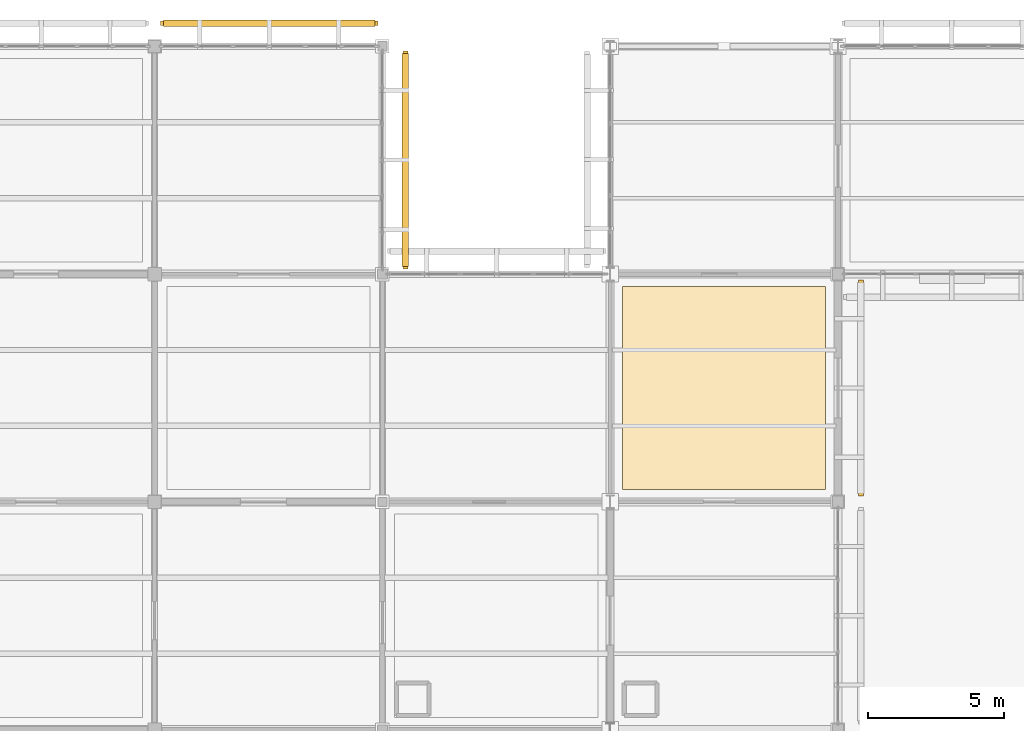
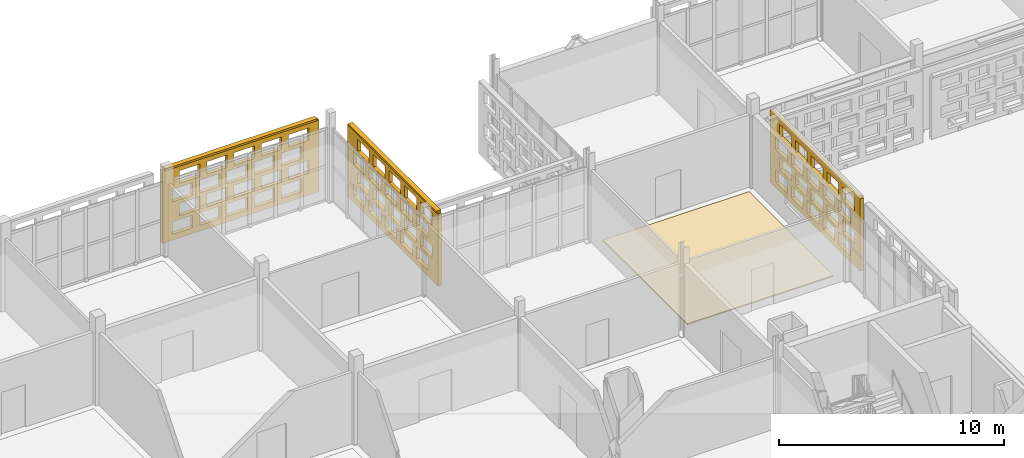
# One storey, part 167 of 203: 4 coverings, 2 shading devices, 60 openings.
"""IFC4 building model written with IfcOpenShell, lengths in metres."""

from ifc_helpers import new_model, si_unit, direction, frame, frame_2d, origin, origin_2d, place, context, subcontext, project, spatial, rectangle, extrude, material, layer, layer_set, type_object, element, save


model = new_model("IFC4")

# Units and contexts
model_context = context("Model", 3, precision=1e-05, world=origin(), true_north=direction((0.0, 1.0)))
body_context = subcontext(model_context, "Body", "Model", "MODEL_VIEW")
ifc_project = project(units=[si_unit("LENGTHUNIT", "METRE"), si_unit("AREAUNIT", "SQUARE_METRE"), si_unit("VOLUMEUNIT", "CUBIC_METRE"), si_unit("PLANEANGLEUNIT", "RADIAN"), si_unit("MASSUNIT", "GRAM", prefix="KILO")], contexts=[model_context])

# Site, building, storey
site_placement = place(None, origin())
site = spatial("IfcSite", under=ifc_project, at=site_placement, CompositionType="ELEMENT")
building_placement = place(site_placement, origin())
building = spatial("IfcBuilding", under=site, at=building_placement, Name="Varnapada Polytechnic", CompositionType="ELEMENT")
storey_placement = place(building_placement, frame((0.0, 0.0, 4.800048828125)))
storey = spatial("IfcBuildingStorey", under=building, at=storey_placement, Name="L01", CompositionType="ELEMENT", Elevation=4.800048828125)

# Covering
ifc_material_1 = material(Name="Anti-Static Raised Laboratory Flooring")
ifc_layer_1 = layer(ifc_material_1, 0.06005859375)
ifc_layer_set_1 = layer_set([ifc_layer_1], Name="Anti-Static Raised Laboratory Flooring")
covering_type_1 = type_object("IfcCoveringType", Name="Floor Finish FLR-02", PredefinedType="FLOORING", material=ifc_layer_set_1)
covering_1_placement = place(storey_placement, frame((54.60009765625, 113.39990234375, 0.0), z_axis=(0.0, 0.0, 1.0), x_axis=(1.0, 0.0, 0.0)))
element("IfcCovering", 1, at=covering_1_placement, inside=storey, type_object=covering_type_1, Name="L01 floor finish panel (7,14)", PredefinedType="FLOORING", context=body_context, shape_type="SweptSolid", body=[
    extrude(rectangle(XDim=7.5, YDim=7.5, at=origin_2d()), origin(), (0.0, 0.0, 1.0), 0.06005859375),
])

# Covering, openings
ifc_material_2 = material(Name="Earth-toned architectural terracotta screen block", Category="masonry")
ifc_layer_2 = layer(ifc_material_2, 0.1201171875)
ifc_layer_set_2 = layer_set([ifc_layer_2], Name="Earth-toned architectural terracotta screen block")
covering_type_2 = type_object("IfcCoveringType", Name="Terracotta Screen Cladding CLD-01", PredefinedType="CLADDING", material=ifc_layer_set_2)
covering_2_placement = place(storey_placement, frame((33.820068359375, 126.85009765625, 0.0), z_axis=(0.0, 0.0, 1.0), x_axis=(1.0, 0.0, 0.0)))
covering_2 = element("IfcCovering", 2, at=covering_2_placement, inside=storey, type_object=covering_type_2, Name="L01 perforated terracotta block screen (35)", PredefinedType="CLADDING", context=body_context, shape_type="SweptSolid", body=[
    extrude(rectangle(XDim=8.010009765625, YDim=0.179931640625, at=frame_2d((4.0048828125, 0.0))), origin(), (0.0, 0.0, 1.0), 3.919921875),
])
opening_1_placement = place(covering_2_placement, frame((0.5048828125, 0.0, 0.313720703125)))
element("IfcOpeningElement", 3, at=opening_1_placement, cuts=covering_2, Name="Screen perforation TBS-L01-034.1", PredefinedType="OPENING", context=body_context, shape_type="SweptSolid", body=[
    extrude(rectangle(XDim=1.0400390625, YDim=0.679931640625, at=frame_2d((0.52001953125, 0.33984375))), frame((0.0, 0.099853515625, 0.0), z_axis=(0.0, -1.0, 0.0), x_axis=(1.0, 0.0, 0.0)), (0.0, 0.0, 1.0), 0.199951171875),
])
opening_2_placement = place(covering_2_placement, frame((1.905029296875, 0.0, 0.313720703125)))
element("IfcOpeningElement", 4, at=opening_2_placement, cuts=covering_2, Name="Screen perforation TBS-L01-034.2", PredefinedType="OPENING", context=body_context, shape_type="SweptSolid", body=[
    extrude(rectangle(XDim=1.0400390625, YDim=0.679931640625, at=frame_2d((0.52001953125, 0.33984375))), frame((0.0, 0.099853515625, 0.0), z_axis=(0.0, -1.0, 0.0), x_axis=(1.0, 0.0, 0.0)), (0.0, 0.0, 1.0), 0.199951171875),
])
opening_3_placement = place(covering_2_placement, frame((3.304931640625, 0.0, 0.313720703125)))
element("IfcOpeningElement", 5, at=opening_3_placement, cuts=covering_2, Name="Screen perforation TBS-L01-034.3", PredefinedType="OPENING", context=body_context, shape_type="SweptSolid", body=[
    extrude(rectangle(XDim=1.0400390625, YDim=0.679931640625, at=frame_2d((0.52001953125, 0.33984375))), frame((0.0, 0.099853515625, 0.0), z_axis=(0.0, -1.0, 0.0), x_axis=(1.0, 0.0, 0.0)), (0.0, 0.0, 1.0), 0.199951171875),
])
opening_4_placement = place(covering_2_placement, frame((4.705078125, 0.0, 0.313720703125)))
element("IfcOpeningElement", 6, at=opening_4_placement, cuts=covering_2, Name="Screen perforation TBS-L01-034.4", PredefinedType="OPENING", context=body_context, shape_type="SweptSolid", body=[
    extrude(rectangle(XDim=1.0400390625, YDim=0.679931640625, at=frame_2d((0.52001953125, 0.33984375))), frame((0.0, 0.099853515625, 0.0), z_axis=(0.0, -1.0, 0.0), x_axis=(1.0, 0.0, 0.0)), (0.0, 0.0, 1.0), 0.199951171875),
])
opening_5_placement = place(covering_2_placement, frame((6.10498046875, 0.0, 0.313720703125)))
element("IfcOpeningElement", 7, at=opening_5_placement, cuts=covering_2, Name="Screen perforation TBS-L01-034.5", PredefinedType="OPENING", context=body_context, shape_type="SweptSolid", body=[
    extrude(rectangle(XDim=1.0400390625, YDim=0.679931640625, at=frame_2d((0.52001953125, 0.33984375))), frame((0.0, 0.099853515625, 0.0), z_axis=(0.0, -1.0, 0.0), x_axis=(1.0, 0.0, 0.0)), (0.0, 0.0, 1.0), 0.199951171875),
])
opening_6_placement = place(covering_2_placement, frame((0.864990234375, 0.0, 1.195556640625)))
element("IfcOpeningElement", 8, at=opening_6_placement, cuts=covering_2, Name="Screen perforation TBS-L01-034.6", PredefinedType="OPENING", context=body_context, shape_type="SweptSolid", body=[
    extrude(rectangle(XDim=1.0400390625, YDim=0.679931640625, at=frame_2d((0.52001953125, 0.33984375))), frame((0.0, 0.099853515625, 0.0), z_axis=(0.0, -1.0, 0.0), x_axis=(1.0, 0.0, 0.0)), (0.0, 0.0, 1.0), 0.199951171875),
])
opening_7_placement = place(covering_2_placement, frame((2.264892578125, 0.0, 1.195556640625)))
element("IfcOpeningElement", 9, at=opening_7_placement, cuts=covering_2, Name="Screen perforation TBS-L01-034.7", PredefinedType="OPENING", context=body_context, shape_type="SweptSolid", body=[
    extrude(rectangle(XDim=1.0400390625, YDim=0.679931640625, at=frame_2d((0.52001953125, 0.33984375))), frame((0.0, 0.099853515625, 0.0), z_axis=(0.0, -1.0, 0.0), x_axis=(1.0, 0.0, 0.0)), (0.0, 0.0, 1.0), 0.199951171875),
])
opening_8_placement = place(covering_2_placement, frame((3.6650390625, 0.0, 1.195556640625)))
element("IfcOpeningElement", 10, at=opening_8_placement, cuts=covering_2, Name="Screen perforation TBS-L01-034.8", PredefinedType="OPENING", context=body_context, shape_type="SweptSolid", body=[
    extrude(rectangle(XDim=1.0400390625, YDim=0.679931640625, at=frame_2d((0.52001953125, 0.33984375))), frame((0.0, 0.099853515625, 0.0), z_axis=(0.0, -1.0, 0.0), x_axis=(1.0, 0.0, 0.0)), (0.0, 0.0, 1.0), 0.199951171875),
])
opening_9_placement = place(covering_2_placement, frame((5.06494140625, 0.0, 1.195556640625)))
element("IfcOpeningElement", 11, at=opening_9_placement, cuts=covering_2, Name="Screen perforation TBS-L01-034.9", PredefinedType="OPENING", context=body_context, shape_type="SweptSolid", body=[
    extrude(rectangle(XDim=1.0400390625, YDim=0.679931640625, at=frame_2d((0.52001953125, 0.33984375))), frame((0.0, 0.099853515625, 0.0), z_axis=(0.0, -1.0, 0.0), x_axis=(1.0, 0.0, 0.0)), (0.0, 0.0, 1.0), 0.199951171875),
])
opening_10_placement = place(covering_2_placement, frame((6.465087890625, 0.0, 1.195556640625)))
element("IfcOpeningElement", 12, at=opening_10_placement, cuts=covering_2, Name="Screen perforation TBS-L01-034.10", PredefinedType="OPENING", context=body_context, shape_type="SweptSolid", body=[
    extrude(rectangle(XDim=1.0400390625, YDim=0.679931640625, at=frame_2d((0.52001953125, 0.33984375))), frame((0.0, 0.099853515625, 0.0), z_axis=(0.0, -1.0, 0.0), x_axis=(1.0, 0.0, 0.0)), (0.0, 0.0, 1.0), 0.199951171875),
])
opening_11_placement = place(covering_2_placement, frame((0.5048828125, 0.0, 2.07763671875)))
element("IfcOpeningElement", 13, at=opening_11_placement, cuts=covering_2, Name="Screen perforation TBS-L01-034.11", PredefinedType="OPENING", context=body_context, shape_type="SweptSolid", body=[
    extrude(rectangle(XDim=1.0400390625, YDim=0.679931640625, at=frame_2d((0.52001953125, 0.33984375))), frame((0.0, 0.099853515625, 0.0), z_axis=(0.0, -1.0, 0.0), x_axis=(1.0, 0.0, 0.0)), (0.0, 0.0, 1.0), 0.199951171875),
])
opening_12_placement = place(covering_2_placement, frame((1.905029296875, 0.0, 2.07763671875)))
element("IfcOpeningElement", 14, at=opening_12_placement, cuts=covering_2, Name="Screen perforation TBS-L01-034.12", PredefinedType="OPENING", context=body_context, shape_type="SweptSolid", body=[
    extrude(rectangle(XDim=1.0400390625, YDim=0.679931640625, at=frame_2d((0.52001953125, 0.33984375))), frame((0.0, 0.099853515625, 0.0), z_axis=(0.0, -1.0, 0.0), x_axis=(1.0, 0.0, 0.0)), (0.0, 0.0, 1.0), 0.199951171875),
])
opening_13_placement = place(covering_2_placement, frame((3.304931640625, 0.0, 2.07763671875)))
element("IfcOpeningElement", 15, at=opening_13_placement, cuts=covering_2, Name="Screen perforation TBS-L01-034.13", PredefinedType="OPENING", context=body_context, shape_type="SweptSolid", body=[
    extrude(rectangle(XDim=1.0400390625, YDim=0.679931640625, at=frame_2d((0.52001953125, 0.33984375))), frame((0.0, 0.099853515625, 0.0), z_axis=(0.0, -1.0, 0.0), x_axis=(1.0, 0.0, 0.0)), (0.0, 0.0, 1.0), 0.199951171875),
])
opening_14_placement = place(covering_2_placement, frame((4.705078125, 0.0, 2.07763671875)))
element("IfcOpeningElement", 16, at=opening_14_placement, cuts=covering_2, Name="Screen perforation TBS-L01-034.14", PredefinedType="OPENING", context=body_context, shape_type="SweptSolid", body=[
    extrude(rectangle(XDim=1.0400390625, YDim=0.679931640625, at=frame_2d((0.52001953125, 0.33984375))), frame((0.0, 0.099853515625, 0.0), z_axis=(0.0, -1.0, 0.0), x_axis=(1.0, 0.0, 0.0)), (0.0, 0.0, 1.0), 0.199951171875),
])
opening_15_placement = place(covering_2_placement, frame((6.10498046875, 0.0, 2.07763671875)))
element("IfcOpeningElement", 17, at=opening_15_placement, cuts=covering_2, Name="Screen perforation TBS-L01-034.15", PredefinedType="OPENING", context=body_context, shape_type="SweptSolid", body=[
    extrude(rectangle(XDim=1.0400390625, YDim=0.679931640625, at=frame_2d((0.52001953125, 0.33984375))), frame((0.0, 0.099853515625, 0.0), z_axis=(0.0, -1.0, 0.0), x_axis=(1.0, 0.0, 0.0)), (0.0, 0.0, 1.0), 0.199951171875),
])
opening_16_placement = place(covering_2_placement, frame((0.864990234375, 0.0, 2.959716796875)))
element("IfcOpeningElement", 18, at=opening_16_placement, cuts=covering_2, Name="Screen perforation TBS-L01-034.16", PredefinedType="OPENING", context=body_context, shape_type="SweptSolid", body=[
    extrude(rectangle(XDim=1.0400390625, YDim=0.679931640625, at=frame_2d((0.52001953125, 0.33984375))), frame((0.0, 0.099853515625, 0.0), z_axis=(0.0, -1.0, 0.0), x_axis=(1.0, 0.0, 0.0)), (0.0, 0.0, 1.0), 0.199951171875),
])
opening_17_placement = place(covering_2_placement, frame((2.264892578125, 0.0, 2.959716796875)))
element("IfcOpeningElement", 19, at=opening_17_placement, cuts=covering_2, Name="Screen perforation TBS-L01-034.17", PredefinedType="OPENING", context=body_context, shape_type="SweptSolid", body=[
    extrude(rectangle(XDim=1.0400390625, YDim=0.679931640625, at=frame_2d((0.52001953125, 0.33984375))), frame((0.0, 0.099853515625, 0.0), z_axis=(0.0, -1.0, 0.0), x_axis=(1.0, 0.0, 0.0)), (0.0, 0.0, 1.0), 0.199951171875),
])
opening_18_placement = place(covering_2_placement, frame((3.6650390625, 0.0, 2.959716796875)))
element("IfcOpeningElement", 20, at=opening_18_placement, cuts=covering_2, Name="Screen perforation TBS-L01-034.18", PredefinedType="OPENING", context=body_context, shape_type="SweptSolid", body=[
    extrude(rectangle(XDim=1.0400390625, YDim=0.679931640625, at=frame_2d((0.52001953125, 0.33984375))), frame((0.0, 0.099853515625, 0.0), z_axis=(0.0, -1.0, 0.0), x_axis=(1.0, 0.0, 0.0)), (0.0, 0.0, 1.0), 0.199951171875),
])
opening_19_placement = place(covering_2_placement, frame((5.06494140625, 0.0, 2.959716796875)))
element("IfcOpeningElement", 21, at=opening_19_placement, cuts=covering_2, Name="Screen perforation TBS-L01-034.19", PredefinedType="OPENING", context=body_context, shape_type="SweptSolid", body=[
    extrude(rectangle(XDim=1.0400390625, YDim=0.679931640625, at=frame_2d((0.52001953125, 0.33984375))), frame((0.0, 0.099853515625, 0.0), z_axis=(0.0, -1.0, 0.0), x_axis=(1.0, 0.0, 0.0)), (0.0, 0.0, 1.0), 0.199951171875),
])
opening_20_placement = place(covering_2_placement, frame((6.465087890625, 0.0, 2.959716796875)))
element("IfcOpeningElement", 22, at=opening_20_placement, cuts=covering_2, Name="Screen perforation TBS-L01-034.20", PredefinedType="OPENING", context=body_context, shape_type="SweptSolid", body=[
    extrude(rectangle(XDim=1.0400390625, YDim=0.679931640625, at=frame_2d((0.52001953125, 0.33984375))), frame((0.0, 0.099853515625, 0.0), z_axis=(0.0, -1.0, 0.0), x_axis=(1.0, 0.0, 0.0)), (0.0, 0.0, 1.0), 0.199951171875),
])

covering_3_placement = place(storey_placement, frame((42.85009765625, 125.830078125, 0.0), z_axis=(0.0, 0.0, 1.0), x_axis=(0.0, -1.0, 0.0)))
covering_3 = element("IfcCovering", 23, at=covering_3_placement, inside=storey, type_object=covering_type_2, Name="L01 perforated terracotta block screen (36)", PredefinedType="CLADDING", context=body_context, shape_type="SweptSolid", body=[
    extrude(rectangle(XDim=8.050048828125, YDim=0.179931640625, at=frame_2d((4.02490234375, 0.0))), origin(), (0.0, 0.0, 1.0), 3.919921875),
])
opening_21_placement = place(covering_3_placement, frame((0.52490234375, 0.0, 0.313720703125)))
element("IfcOpeningElement", 24, at=opening_21_placement, cuts=covering_3, Name="Screen perforation TBS-L01-035.1", PredefinedType="OPENING", context=body_context, shape_type="SweptSolid", body=[
    extrude(rectangle(XDim=1.0400390625, YDim=0.679931640625, at=frame_2d((0.52001953125, 0.33984375))), frame((0.0, 0.099853515625, 0.0), z_axis=(0.0, -1.0, 0.0), x_axis=(1.0, 0.0, 0.0)), (0.0, 0.0, 1.0), 0.199951171875),
])
opening_22_placement = place(covering_3_placement, frame((1.925048828125, 0.0, 0.313720703125)))
element("IfcOpeningElement", 25, at=opening_22_placement, cuts=covering_3, Name="Screen perforation TBS-L01-035.2", PredefinedType="OPENING", context=body_context, shape_type="SweptSolid", body=[
    extrude(rectangle(XDim=1.0400390625, YDim=0.679931640625, at=frame_2d((0.52001953125, 0.33984375))), frame((0.0, 0.099853515625, 0.0), z_axis=(0.0, -1.0, 0.0), x_axis=(1.0, 0.0, 0.0)), (0.0, 0.0, 1.0), 0.199951171875),
])
opening_23_placement = place(covering_3_placement, frame((3.324951171875, 0.0, 0.313720703125)))
element("IfcOpeningElement", 26, at=opening_23_placement, cuts=covering_3, Name="Screen perforation TBS-L01-035.3", PredefinedType="OPENING", context=body_context, shape_type="SweptSolid", body=[
    extrude(rectangle(XDim=1.0400390625, YDim=0.679931640625, at=frame_2d((0.52001953125, 0.33984375))), frame((0.0, 0.099853515625, 0.0), z_axis=(0.0, -1.0, 0.0), x_axis=(1.0, 0.0, 0.0)), (0.0, 0.0, 1.0), 0.199951171875),
])
opening_24_placement = place(covering_3_placement, frame((4.72509765625, 0.0, 0.313720703125)))
element("IfcOpeningElement", 27, at=opening_24_placement, cuts=covering_3, Name="Screen perforation TBS-L01-035.4", PredefinedType="OPENING", context=body_context, shape_type="SweptSolid", body=[
    extrude(rectangle(XDim=1.0400390625, YDim=0.679931640625, at=frame_2d((0.52001953125, 0.33984375))), frame((0.0, 0.099853515625, 0.0), z_axis=(0.0, -1.0, 0.0), x_axis=(1.0, 0.0, 0.0)), (0.0, 0.0, 1.0), 0.199951171875),
])
opening_25_placement = place(covering_3_placement, frame((6.125, 0.0, 0.313720703125)))
element("IfcOpeningElement", 28, at=opening_25_placement, cuts=covering_3, Name="Screen perforation TBS-L01-035.5", PredefinedType="OPENING", context=body_context, shape_type="SweptSolid", body=[
    extrude(rectangle(XDim=1.0400390625, YDim=0.679931640625, at=frame_2d((0.52001953125, 0.33984375))), frame((0.0, 0.099853515625, 0.0), z_axis=(0.0, -1.0, 0.0), x_axis=(1.0, 0.0, 0.0)), (0.0, 0.0, 1.0), 0.199951171875),
])
opening_26_placement = place(covering_3_placement, frame((0.885009765625, 0.0, 1.195556640625)))
element("IfcOpeningElement", 29, at=opening_26_placement, cuts=covering_3, Name="Screen perforation TBS-L01-035.6", PredefinedType="OPENING", context=body_context, shape_type="SweptSolid", body=[
    extrude(rectangle(XDim=1.0400390625, YDim=0.679931640625, at=frame_2d((0.52001953125, 0.33984375))), frame((0.0, 0.099853515625, 0.0), z_axis=(0.0, -1.0, 0.0), x_axis=(1.0, 0.0, 0.0)), (0.0, 0.0, 1.0), 0.199951171875),
])
opening_27_placement = place(covering_3_placement, frame((2.284912109375, 0.0, 1.195556640625)))
element("IfcOpeningElement", 30, at=opening_27_placement, cuts=covering_3, Name="Screen perforation TBS-L01-035.7", PredefinedType="OPENING", context=body_context, shape_type="SweptSolid", body=[
    extrude(rectangle(XDim=1.0400390625, YDim=0.679931640625, at=frame_2d((0.52001953125, 0.33984375))), frame((0.0, 0.099853515625, 0.0), z_axis=(0.0, -1.0, 0.0), x_axis=(1.0, 0.0, 0.0)), (0.0, 0.0, 1.0), 0.199951171875),
])
opening_28_placement = place(covering_3_placement, frame((3.68505859375, 0.0, 1.195556640625)))
element("IfcOpeningElement", 31, at=opening_28_placement, cuts=covering_3, Name="Screen perforation TBS-L01-035.8", PredefinedType="OPENING", context=body_context, shape_type="SweptSolid", body=[
    extrude(rectangle(XDim=1.0400390625, YDim=0.679931640625, at=frame_2d((0.52001953125, 0.33984375))), frame((0.0, 0.099853515625, 0.0), z_axis=(0.0, -1.0, 0.0), x_axis=(1.0, 0.0, 0.0)), (0.0, 0.0, 1.0), 0.199951171875),
])
opening_29_placement = place(covering_3_placement, frame((5.0849609375, 0.0, 1.195556640625)))
element("IfcOpeningElement", 32, at=opening_29_placement, cuts=covering_3, Name="Screen perforation TBS-L01-035.9", PredefinedType="OPENING", context=body_context, shape_type="SweptSolid", body=[
    extrude(rectangle(XDim=1.0400390625, YDim=0.679931640625, at=frame_2d((0.52001953125, 0.33984375))), frame((0.0, 0.099853515625, 0.0), z_axis=(0.0, -1.0, 0.0), x_axis=(1.0, 0.0, 0.0)), (0.0, 0.0, 1.0), 0.199951171875),
])
opening_30_placement = place(covering_3_placement, frame((6.485107421875, 0.0, 1.195556640625)))
element("IfcOpeningElement", 33, at=opening_30_placement, cuts=covering_3, Name="Screen perforation TBS-L01-035.10", PredefinedType="OPENING", context=body_context, shape_type="SweptSolid", body=[
    extrude(rectangle(XDim=1.0400390625, YDim=0.679931640625, at=frame_2d((0.52001953125, 0.33984375))), frame((0.0, 0.099853515625, 0.0), z_axis=(0.0, -1.0, 0.0), x_axis=(1.0, 0.0, 0.0)), (0.0, 0.0, 1.0), 0.199951171875),
])
opening_31_placement = place(covering_3_placement, frame((0.52490234375, 0.0, 2.07763671875)))
element("IfcOpeningElement", 34, at=opening_31_placement, cuts=covering_3, Name="Screen perforation TBS-L01-035.11", PredefinedType="OPENING", context=body_context, shape_type="SweptSolid", body=[
    extrude(rectangle(XDim=1.0400390625, YDim=0.679931640625, at=frame_2d((0.52001953125, 0.33984375))), frame((0.0, 0.099853515625, 0.0), z_axis=(0.0, -1.0, 0.0), x_axis=(1.0, 0.0, 0.0)), (0.0, 0.0, 1.0), 0.199951171875),
])
opening_32_placement = place(covering_3_placement, frame((1.925048828125, 0.0, 2.07763671875)))
element("IfcOpeningElement", 35, at=opening_32_placement, cuts=covering_3, Name="Screen perforation TBS-L01-035.12", PredefinedType="OPENING", context=body_context, shape_type="SweptSolid", body=[
    extrude(rectangle(XDim=1.0400390625, YDim=0.679931640625, at=frame_2d((0.52001953125, 0.33984375))), frame((0.0, 0.099853515625, 0.0), z_axis=(0.0, -1.0, 0.0), x_axis=(1.0, 0.0, 0.0)), (0.0, 0.0, 1.0), 0.199951171875),
])
opening_33_placement = place(covering_3_placement, frame((3.324951171875, 0.0, 2.07763671875)))
element("IfcOpeningElement", 36, at=opening_33_placement, cuts=covering_3, Name="Screen perforation TBS-L01-035.13", PredefinedType="OPENING", context=body_context, shape_type="SweptSolid", body=[
    extrude(rectangle(XDim=1.0400390625, YDim=0.679931640625, at=frame_2d((0.52001953125, 0.33984375))), frame((0.0, 0.099853515625, 0.0), z_axis=(0.0, -1.0, 0.0), x_axis=(1.0, 0.0, 0.0)), (0.0, 0.0, 1.0), 0.199951171875),
])
opening_34_placement = place(covering_3_placement, frame((4.72509765625, 0.0, 2.07763671875)))
element("IfcOpeningElement", 37, at=opening_34_placement, cuts=covering_3, Name="Screen perforation TBS-L01-035.14", PredefinedType="OPENING", context=body_context, shape_type="SweptSolid", body=[
    extrude(rectangle(XDim=1.0400390625, YDim=0.679931640625, at=frame_2d((0.52001953125, 0.33984375))), frame((0.0, 0.099853515625, 0.0), z_axis=(0.0, -1.0, 0.0), x_axis=(1.0, 0.0, 0.0)), (0.0, 0.0, 1.0), 0.199951171875),
])
opening_35_placement = place(covering_3_placement, frame((6.125, 0.0, 2.07763671875)))
element("IfcOpeningElement", 38, at=opening_35_placement, cuts=covering_3, Name="Screen perforation TBS-L01-035.15", PredefinedType="OPENING", context=body_context, shape_type="SweptSolid", body=[
    extrude(rectangle(XDim=1.0400390625, YDim=0.679931640625, at=frame_2d((0.52001953125, 0.33984375))), frame((0.0, 0.099853515625, 0.0), z_axis=(0.0, -1.0, 0.0), x_axis=(1.0, 0.0, 0.0)), (0.0, 0.0, 1.0), 0.199951171875),
])
opening_36_placement = place(covering_3_placement, frame((0.885009765625, 0.0, 2.959716796875)))
element("IfcOpeningElement", 39, at=opening_36_placement, cuts=covering_3, Name="Screen perforation TBS-L01-035.16", PredefinedType="OPENING", context=body_context, shape_type="SweptSolid", body=[
    extrude(rectangle(XDim=1.0400390625, YDim=0.679931640625, at=frame_2d((0.52001953125, 0.33984375))), frame((0.0, 0.099853515625, 0.0), z_axis=(0.0, -1.0, 0.0), x_axis=(1.0, 0.0, 0.0)), (0.0, 0.0, 1.0), 0.199951171875),
])
opening_37_placement = place(covering_3_placement, frame((2.284912109375, 0.0, 2.959716796875)))
element("IfcOpeningElement", 40, at=opening_37_placement, cuts=covering_3, Name="Screen perforation TBS-L01-035.17", PredefinedType="OPENING", context=body_context, shape_type="SweptSolid", body=[
    extrude(rectangle(XDim=1.0400390625, YDim=0.679931640625, at=frame_2d((0.52001953125, 0.33984375))), frame((0.0, 0.099853515625, 0.0), z_axis=(0.0, -1.0, 0.0), x_axis=(1.0, 0.0, 0.0)), (0.0, 0.0, 1.0), 0.199951171875),
])
opening_38_placement = place(covering_3_placement, frame((3.68505859375, 0.0, 2.959716796875)))
element("IfcOpeningElement", 41, at=opening_38_placement, cuts=covering_3, Name="Screen perforation TBS-L01-035.18", PredefinedType="OPENING", context=body_context, shape_type="SweptSolid", body=[
    extrude(rectangle(XDim=1.0400390625, YDim=0.679931640625, at=frame_2d((0.52001953125, 0.33984375))), frame((0.0, 0.099853515625, 0.0), z_axis=(0.0, -1.0, 0.0), x_axis=(1.0, 0.0, 0.0)), (0.0, 0.0, 1.0), 0.199951171875),
])
opening_39_placement = place(covering_3_placement, frame((5.0849609375, 0.0, 2.959716796875)))
element("IfcOpeningElement", 42, at=opening_39_placement, cuts=covering_3, Name="Screen perforation TBS-L01-035.19", PredefinedType="OPENING", context=body_context, shape_type="SweptSolid", body=[
    extrude(rectangle(XDim=1.0400390625, YDim=0.679931640625, at=frame_2d((0.52001953125, 0.33984375))), frame((0.0, 0.099853515625, 0.0), z_axis=(0.0, -1.0, 0.0), x_axis=(1.0, 0.0, 0.0)), (0.0, 0.0, 1.0), 0.199951171875),
])
opening_40_placement = place(covering_3_placement, frame((6.485107421875, 0.0, 2.959716796875)))
element("IfcOpeningElement", 43, at=opening_40_placement, cuts=covering_3, Name="Screen perforation TBS-L01-035.20", PredefinedType="OPENING", context=body_context, shape_type="SweptSolid", body=[
    extrude(rectangle(XDim=1.0400390625, YDim=0.679931640625, at=frame_2d((0.52001953125, 0.33984375))), frame((0.0, 0.099853515625, 0.0), z_axis=(0.0, -1.0, 0.0), x_axis=(1.0, 0.0, 0.0)), (0.0, 0.0, 1.0), 0.199951171875),
])

covering_4_placement = place(storey_placement, frame((59.64990234375, 117.389892578125, 0.0), z_axis=(0.0, 0.0, 1.0), x_axis=(0.0, -1.0, 0.0)))
covering_4 = element("IfcCovering", 44, at=covering_4_placement, inside=storey, type_object=covering_type_2, Name="L01 perforated terracotta block screen (51)", PredefinedType="CLADDING", context=body_context, shape_type="SweptSolid", body=[
    extrude(rectangle(XDim=7.97998046875, YDim=0.179931640625, at=frame_2d((3.989990234375, 0.0))), origin(), (0.0, 0.0, 1.0), 3.919921875),
])
opening_41_placement = place(covering_4_placement, frame((0.489990234375, 0.0, 0.313720703125)))
element("IfcOpeningElement", 45, at=opening_41_placement, cuts=covering_4, Name="Screen perforation TBS-L01-050.1", PredefinedType="OPENING", context=body_context, shape_type="SweptSolid", body=[
    extrude(rectangle(XDim=1.0400390625, YDim=0.679931640625, at=frame_2d((0.52001953125, 0.33984375))), frame((0.0, 0.099853515625, 0.0), z_axis=(0.0, -1.0, 0.0), x_axis=(1.0, 0.0, 0.0)), (0.0, 0.0, 1.0), 0.199951171875),
])
opening_42_placement = place(covering_4_placement, frame((1.889892578125, 0.0, 0.313720703125)))
element("IfcOpeningElement", 46, at=opening_42_placement, cuts=covering_4, Name="Screen perforation TBS-L01-050.2", PredefinedType="OPENING", context=body_context, shape_type="SweptSolid", body=[
    extrude(rectangle(XDim=1.0400390625, YDim=0.679931640625, at=frame_2d((0.52001953125, 0.33984375))), frame((0.0, 0.099853515625, 0.0), z_axis=(0.0, -1.0, 0.0), x_axis=(1.0, 0.0, 0.0)), (0.0, 0.0, 1.0), 0.199951171875),
])
opening_43_placement = place(covering_4_placement, frame((3.2900390625, 0.0, 0.313720703125)))
element("IfcOpeningElement", 47, at=opening_43_placement, cuts=covering_4, Name="Screen perforation TBS-L01-050.3", PredefinedType="OPENING", context=body_context, shape_type="SweptSolid", body=[
    extrude(rectangle(XDim=1.0400390625, YDim=0.679931640625, at=frame_2d((0.52001953125, 0.33984375))), frame((0.0, 0.099853515625, 0.0), z_axis=(0.0, -1.0, 0.0), x_axis=(1.0, 0.0, 0.0)), (0.0, 0.0, 1.0), 0.199951171875),
])
opening_44_placement = place(covering_4_placement, frame((4.68994140625, 0.0, 0.313720703125)))
element("IfcOpeningElement", 48, at=opening_44_placement, cuts=covering_4, Name="Screen perforation TBS-L01-050.4", PredefinedType="OPENING", context=body_context, shape_type="SweptSolid", body=[
    extrude(rectangle(XDim=1.0400390625, YDim=0.679931640625, at=frame_2d((0.52001953125, 0.33984375))), frame((0.0, 0.099853515625, 0.0), z_axis=(0.0, -1.0, 0.0), x_axis=(1.0, 0.0, 0.0)), (0.0, 0.0, 1.0), 0.199951171875),
])
opening_45_placement = place(covering_4_placement, frame((6.090087890625, 0.0, 0.313720703125)))
element("IfcOpeningElement", 49, at=opening_45_placement, cuts=covering_4, Name="Screen perforation TBS-L01-050.5", PredefinedType="OPENING", context=body_context, shape_type="SweptSolid", body=[
    extrude(rectangle(XDim=1.0400390625, YDim=0.679931640625, at=frame_2d((0.52001953125, 0.33984375))), frame((0.0, 0.099853515625, 0.0), z_axis=(0.0, -1.0, 0.0), x_axis=(1.0, 0.0, 0.0)), (0.0, 0.0, 1.0), 0.199951171875),
])
opening_46_placement = place(covering_4_placement, frame((0.85009765625, 0.0, 1.195556640625)))
element("IfcOpeningElement", 50, at=opening_46_placement, cuts=covering_4, Name="Screen perforation TBS-L01-050.6", PredefinedType="OPENING", context=body_context, shape_type="SweptSolid", body=[
    extrude(rectangle(XDim=1.0400390625, YDim=0.679931640625, at=frame_2d((0.52001953125, 0.33984375))), frame((0.0, 0.099853515625, 0.0), z_axis=(0.0, -1.0, 0.0), x_axis=(1.0, 0.0, 0.0)), (0.0, 0.0, 1.0), 0.199951171875),
])
opening_47_placement = place(covering_4_placement, frame((2.25, 0.0, 1.195556640625)))
element("IfcOpeningElement", 51, at=opening_47_placement, cuts=covering_4, Name="Screen perforation TBS-L01-050.7", PredefinedType="OPENING", context=body_context, shape_type="SweptSolid", body=[
    extrude(rectangle(XDim=1.0400390625, YDim=0.679931640625, at=frame_2d((0.52001953125, 0.33984375))), frame((0.0, 0.099853515625, 0.0), z_axis=(0.0, -1.0, 0.0), x_axis=(1.0, 0.0, 0.0)), (0.0, 0.0, 1.0), 0.199951171875),
])
opening_48_placement = place(covering_4_placement, frame((3.64990234375, 0.0, 1.195556640625)))
element("IfcOpeningElement", 52, at=opening_48_placement, cuts=covering_4, Name="Screen perforation TBS-L01-050.8", PredefinedType="OPENING", context=body_context, shape_type="SweptSolid", body=[
    extrude(rectangle(XDim=1.0400390625, YDim=0.679931640625, at=frame_2d((0.52001953125, 0.33984375))), frame((0.0, 0.099853515625, 0.0), z_axis=(0.0, -1.0, 0.0), x_axis=(1.0, 0.0, 0.0)), (0.0, 0.0, 1.0), 0.199951171875),
])
opening_49_placement = place(covering_4_placement, frame((5.050048828125, 0.0, 1.195556640625)))
element("IfcOpeningElement", 53, at=opening_49_placement, cuts=covering_4, Name="Screen perforation TBS-L01-050.9", PredefinedType="OPENING", context=body_context, shape_type="SweptSolid", body=[
    extrude(rectangle(XDim=1.0400390625, YDim=0.679931640625, at=frame_2d((0.52001953125, 0.33984375))), frame((0.0, 0.099853515625, 0.0), z_axis=(0.0, -1.0, 0.0), x_axis=(1.0, 0.0, 0.0)), (0.0, 0.0, 1.0), 0.199951171875),
])
opening_50_placement = place(covering_4_placement, frame((6.449951171875, 0.0, 1.195556640625)))
element("IfcOpeningElement", 54, at=opening_50_placement, cuts=covering_4, Name="Screen perforation TBS-L01-050.10", PredefinedType="OPENING", context=body_context, shape_type="SweptSolid", body=[
    extrude(rectangle(XDim=1.0400390625, YDim=0.679931640625, at=frame_2d((0.52001953125, 0.33984375))), frame((0.0, 0.099853515625, 0.0), z_axis=(0.0, -1.0, 0.0), x_axis=(1.0, 0.0, 0.0)), (0.0, 0.0, 1.0), 0.199951171875),
])
opening_51_placement = place(covering_4_placement, frame((0.489990234375, 0.0, 2.07763671875)))
element("IfcOpeningElement", 55, at=opening_51_placement, cuts=covering_4, Name="Screen perforation TBS-L01-050.11", PredefinedType="OPENING", context=body_context, shape_type="SweptSolid", body=[
    extrude(rectangle(XDim=1.0400390625, YDim=0.679931640625, at=frame_2d((0.52001953125, 0.33984375))), frame((0.0, 0.099853515625, 0.0), z_axis=(0.0, -1.0, 0.0), x_axis=(1.0, 0.0, 0.0)), (0.0, 0.0, 1.0), 0.199951171875),
])
opening_52_placement = place(covering_4_placement, frame((1.889892578125, 0.0, 2.07763671875)))
element("IfcOpeningElement", 56, at=opening_52_placement, cuts=covering_4, Name="Screen perforation TBS-L01-050.12", PredefinedType="OPENING", context=body_context, shape_type="SweptSolid", body=[
    extrude(rectangle(XDim=1.0400390625, YDim=0.679931640625, at=frame_2d((0.52001953125, 0.33984375))), frame((0.0, 0.099853515625, 0.0), z_axis=(0.0, -1.0, 0.0), x_axis=(1.0, 0.0, 0.0)), (0.0, 0.0, 1.0), 0.199951171875),
])
opening_53_placement = place(covering_4_placement, frame((3.2900390625, 0.0, 2.07763671875)))
element("IfcOpeningElement", 57, at=opening_53_placement, cuts=covering_4, Name="Screen perforation TBS-L01-050.13", PredefinedType="OPENING", context=body_context, shape_type="SweptSolid", body=[
    extrude(rectangle(XDim=1.0400390625, YDim=0.679931640625, at=frame_2d((0.52001953125, 0.33984375))), frame((0.0, 0.099853515625, 0.0), z_axis=(0.0, -1.0, 0.0), x_axis=(1.0, 0.0, 0.0)), (0.0, 0.0, 1.0), 0.199951171875),
])
opening_54_placement = place(covering_4_placement, frame((4.68994140625, 0.0, 2.07763671875)))
element("IfcOpeningElement", 58, at=opening_54_placement, cuts=covering_4, Name="Screen perforation TBS-L01-050.14", PredefinedType="OPENING", context=body_context, shape_type="SweptSolid", body=[
    extrude(rectangle(XDim=1.0400390625, YDim=0.679931640625, at=frame_2d((0.52001953125, 0.33984375))), frame((0.0, 0.099853515625, 0.0), z_axis=(0.0, -1.0, 0.0), x_axis=(1.0, 0.0, 0.0)), (0.0, 0.0, 1.0), 0.199951171875),
])
opening_55_placement = place(covering_4_placement, frame((6.090087890625, 0.0, 2.07763671875)))
element("IfcOpeningElement", 59, at=opening_55_placement, cuts=covering_4, Name="Screen perforation TBS-L01-050.15", PredefinedType="OPENING", context=body_context, shape_type="SweptSolid", body=[
    extrude(rectangle(XDim=1.0400390625, YDim=0.679931640625, at=frame_2d((0.52001953125, 0.33984375))), frame((0.0, 0.099853515625, 0.0), z_axis=(0.0, -1.0, 0.0), x_axis=(1.0, 0.0, 0.0)), (0.0, 0.0, 1.0), 0.199951171875),
])
opening_56_placement = place(covering_4_placement, frame((0.85009765625, 0.0, 2.959716796875)))
element("IfcOpeningElement", 60, at=opening_56_placement, cuts=covering_4, Name="Screen perforation TBS-L01-050.16", PredefinedType="OPENING", context=body_context, shape_type="SweptSolid", body=[
    extrude(rectangle(XDim=1.0400390625, YDim=0.679931640625, at=frame_2d((0.52001953125, 0.33984375))), frame((0.0, 0.099853515625, 0.0), z_axis=(0.0, -1.0, 0.0), x_axis=(1.0, 0.0, 0.0)), (0.0, 0.0, 1.0), 0.199951171875),
])
opening_57_placement = place(covering_4_placement, frame((2.25, 0.0, 2.959716796875)))
element("IfcOpeningElement", 61, at=opening_57_placement, cuts=covering_4, Name="Screen perforation TBS-L01-050.17", PredefinedType="OPENING", context=body_context, shape_type="SweptSolid", body=[
    extrude(rectangle(XDim=1.0400390625, YDim=0.679931640625, at=frame_2d((0.52001953125, 0.33984375))), frame((0.0, 0.099853515625, 0.0), z_axis=(0.0, -1.0, 0.0), x_axis=(1.0, 0.0, 0.0)), (0.0, 0.0, 1.0), 0.199951171875),
])
opening_58_placement = place(covering_4_placement, frame((3.64990234375, 0.0, 2.959716796875)))
element("IfcOpeningElement", 62, at=opening_58_placement, cuts=covering_4, Name="Screen perforation TBS-L01-050.18", PredefinedType="OPENING", context=body_context, shape_type="SweptSolid", body=[
    extrude(rectangle(XDim=1.0400390625, YDim=0.679931640625, at=frame_2d((0.52001953125, 0.33984375))), frame((0.0, 0.099853515625, 0.0), z_axis=(0.0, -1.0, 0.0), x_axis=(1.0, 0.0, 0.0)), (0.0, 0.0, 1.0), 0.199951171875),
])
opening_59_placement = place(covering_4_placement, frame((5.050048828125, 0.0, 2.959716796875)))
element("IfcOpeningElement", 63, at=opening_59_placement, cuts=covering_4, Name="Screen perforation TBS-L01-050.19", PredefinedType="OPENING", context=body_context, shape_type="SweptSolid", body=[
    extrude(rectangle(XDim=1.0400390625, YDim=0.679931640625, at=frame_2d((0.52001953125, 0.33984375))), frame((0.0, 0.099853515625, 0.0), z_axis=(0.0, -1.0, 0.0), x_axis=(1.0, 0.0, 0.0)), (0.0, 0.0, 1.0), 0.199951171875),
])
opening_60_placement = place(covering_4_placement, frame((6.449951171875, 0.0, 2.959716796875)))
element("IfcOpeningElement", 64, at=opening_60_placement, cuts=covering_4, Name="Screen perforation TBS-L01-050.20", PredefinedType="OPENING", context=body_context, shape_type="SweptSolid", body=[
    extrude(rectangle(XDim=1.0400390625, YDim=0.679931640625, at=frame_2d((0.52001953125, 0.33984375))), frame((0.0, 0.099853515625, 0.0), z_axis=(0.0, -1.0, 0.0), x_axis=(1.0, 0.0, 0.0)), (0.0, 0.0, 1.0), 0.199951171875),
])

# Shading devices
ifc_layer_3 = layer(ifc_material_2, 0.179931640625)
ifc_layer_set_3 = layer_set([ifc_layer_3], Name="Earth-toned architectural terracotta screen block")
shading_device_type = type_object("IfcShadingDeviceType", Name="Terracotta Screen SCR-02", PredefinedType="USERDEFINED", material=ifc_layer_set_3)
shading_device_1_placement = place(storey_placement, frame((37.824951171875, 126.85009765625, 3.909912109375), z_axis=(0.0, 0.0, 1.0), x_axis=(1.0, 0.0, 0.0)))
element("IfcShadingDevice", 65, at=shading_device_1_placement, inside=storey, type_object=shading_device_type, Name="L01 perforated terracotta screen hood 116", ObjectType="SCREEN", PredefinedType="USERDEFINED", context=body_context, shape_type="SweptSolid", body=[
    extrude(rectangle(XDim=7.81005859375, YDim=0.239990234375, at=origin_2d()), origin(), (0.0, 0.0, 1.0), 0.10009765625),
])
shading_device_2_placement = place(storey_placement, frame((42.85009765625, 121.804931640625, 3.909912109375), z_axis=(0.0, 0.0, 1.0), x_axis=(0.0, -1.0, 0.0)))
element("IfcShadingDevice", 66, at=shading_device_2_placement, inside=storey, type_object=shading_device_type, Name="L01 perforated terracotta screen hood 117", ObjectType="SCREEN", PredefinedType="USERDEFINED", context=body_context, shape_type="SweptSolid", body=[
    extrude(rectangle(XDim=7.85009765625, YDim=0.239990234375, at=origin_2d()), origin(), (0.0, 0.0, 1.0), 0.10009765625),
])

save(model, "model.ifc")
